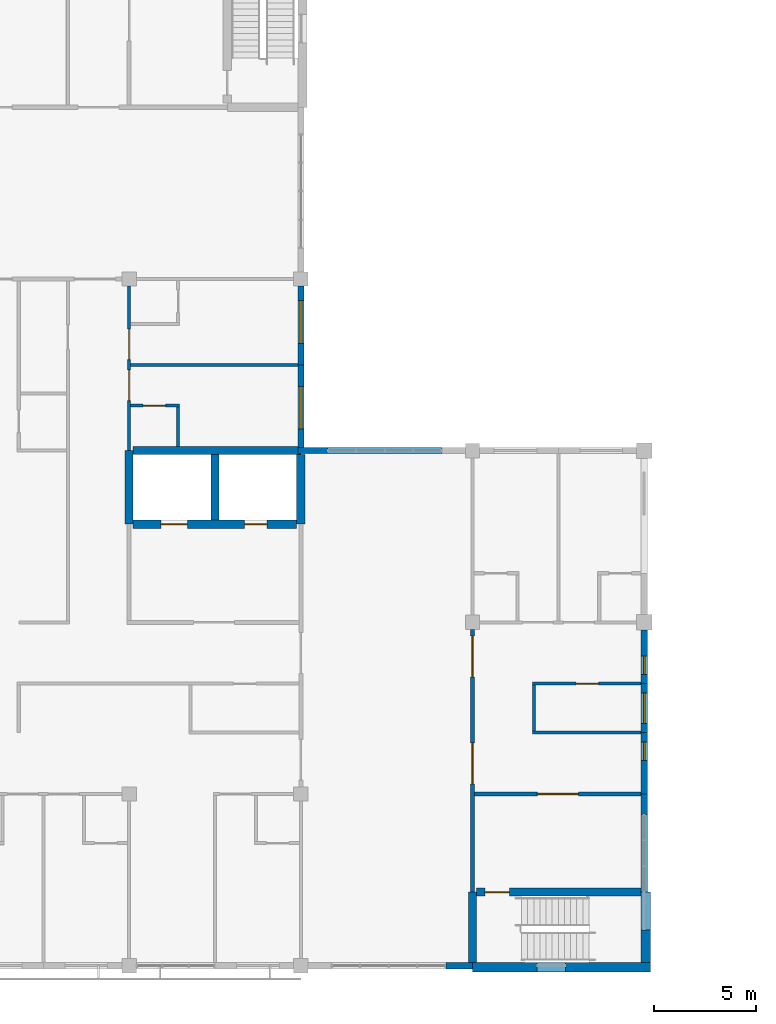
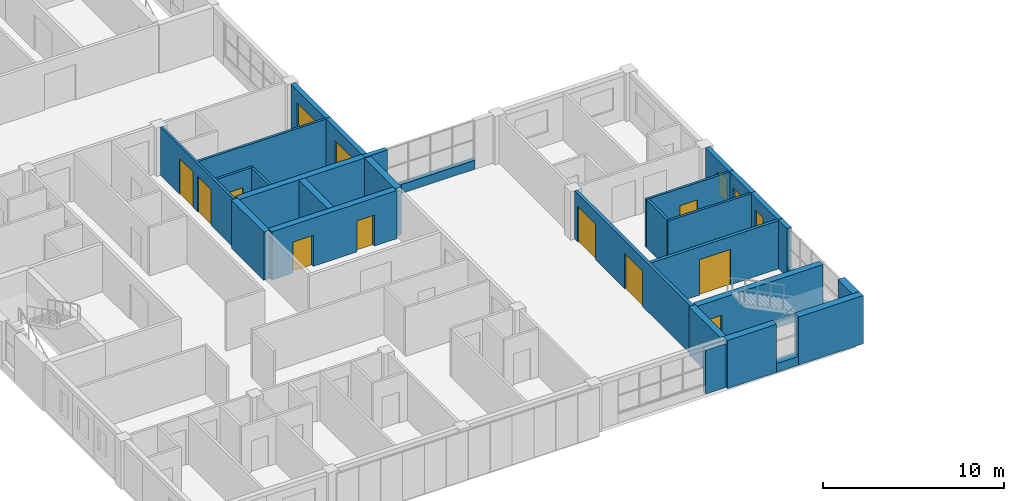
# One storey, part 25 of 45: 31 walls, 10 doors, 5 windows, 15 openings.
"""IFC4 building model written with IfcOpenShell, lengths in metres."""

from ifc_helpers import new_model, si_unit, direction, frame, frame_2d, origin, place, context, subcontext, project, spatial, rectangle, extrude, material, layer, layer_set, type_object, element, fill, save


model = new_model("IFC4")

# Units and contexts
model_context = context("Model", 3, precision=1e-05, world=origin(), true_north=direction((0.0, 1.0)))
body_context = subcontext(model_context, "Body", "Model", "MODEL_VIEW")
ifc_project = project(units=[si_unit("LENGTHUNIT", "METRE"), si_unit("AREAUNIT", "SQUARE_METRE"), si_unit("VOLUMEUNIT", "CUBIC_METRE"), si_unit("PLANEANGLEUNIT", "RADIAN"), si_unit("MASSUNIT", "GRAM", prefix="KILO")], contexts=[model_context])

# Site, building, storey
site_placement = place(None, origin())
site = spatial("IfcSite", under=ifc_project, at=site_placement, CompositionType="ELEMENT")
building_placement = place(site_placement, origin())
building = spatial("IfcBuilding", under=site, at=building_placement, Name="Yavir Park General Hospital", CompositionType="ELEMENT")
storey_placement = place(building_placement, frame((0.0, 0.0, 22.5)))
storey = spatial("IfcBuildingStorey", under=building, at=storey_placement, Name="L05", CompositionType="ELEMENT", Elevation=22.5)

# Wall, opening, door
ifc_material_1 = material(Name="Double gypsum board fire partition on steel studs", Category="steel")
ifc_layer_1 = layer(ifc_material_1, 0.199951171875)
ifc_layer_set_1 = layer_set([ifc_layer_1], Name="Double gypsum board fire partition on steel studs")
wall_type_1 = type_object("IfcWallType", Name="Fire-rated partition 200, EI 60", PredefinedType="PARTITIONING", material=ifc_layer_set_1)
wall_1_placement = place(storey_placement, frame((33.699951171875, 8.39990234375, 0.0), z_axis=(0.0, 0.0, 1.0), x_axis=(1.0, 0.0, 0.0)))
wall_1 = element("IfcWall", 1, at=wall_1_placement, inside=storey, type_object=wall_type_1, Name="FP20 L05-014", PredefinedType="PARTITIONING", context=body_context, shape_type="SweptSolid", body=[
    extrude(rectangle(XDim=8.150146484375, YDim=0.199951171875, at=frame_2d((4.0751953125, 0.0))), origin(), (0.0, 0.0, 1.0), 3.260009765625),
])
opening_1_placement = place(wall_1_placement, frame((3.074951171875, 0.0, 0.0)))
opening_1 = element("IfcOpeningElement", 2, at=opening_1_placement, cuts=wall_1, Name="Opening L05.D018", PredefinedType="OPENING", context=body_context, shape_type="SweptSolid", body=[
    extrude(rectangle(XDim=2.0, YDim=2.39990234375, at=frame_2d((1.0, 1.199951171875))), frame((0.0, 0.10986328125, 0.0), z_axis=(0.0, -1.0, 0.0), x_axis=(1.0, 0.0, 0.0)), (0.0, 0.0, 1.0), 0.219970703125),
])
ifc_material_2 = material(Name="Steel frame, fire-resisting leaves with vision panels", Category="steel")
door_type_1 = type_object("IfcDoorType", Name="Double fire door with vision panels 2000 x 2400, EI 60", OperationType="DOUBLE_DOOR_SINGLE_SWING", PredefinedType="DOOR", material=ifc_material_2)
door_1_placement = place(opening_1_placement, origin())
door_1 = element("IfcDoor", 3, at=door_1_placement, inside=storey, type_object=door_type_1, Name="L05.D018", OperationType="SINGLE_SWING_RIGHT", OverallHeight=2.39990234375, OverallWidth=2.0, PredefinedType="DOOR", context=body_context, shape_type="SweptSolid", body=[
    extrude(rectangle(XDim=2.0, YDim=2.39990234375, at=frame_2d((1.0, 1.199951171875))), frame((0.0, 0.030029296875, 0.0), z_axis=(0.0, -1.0, 0.0), x_axis=(1.0, 0.0, 0.0)), (0.0, 0.0, 1.0), 0.06005859375),
])
fill(opening_1, door_1)

# Wall, openings, doors
wall_2_placement = place(storey_placement, frame((33.60009765625, 3.60009765625, 0.0), z_axis=(0.0, 0.0, 1.0), x_axis=(0.0, 1.0, 0.0)))
wall_2 = element("IfcWall", 4, at=wall_2_placement, inside=storey, type_object=wall_type_1, Name="FP20 L05-217", PredefinedType="PARTITIONING", context=body_context, shape_type="SweptSolid", body=[
    extrude(rectangle(XDim=12.849853515625, YDim=0.199951171875, at=frame_2d((6.4248046875, 0.0))), origin(), (0.0, 0.0, 1.0), 3.260009765625),
])
opening_2_placement = place(wall_2_placement, frame((5.300048828125, 0.0, 0.0)))
opening_2 = element("IfcOpeningElement", 5, at=opening_2_placement, cuts=wall_2, Name="Opening L05.D143", PredefinedType="OPENING", context=body_context, shape_type="SweptSolid", body=[
    extrude(rectangle(XDim=2.0, YDim=2.39990234375, at=frame_2d((1.0, 1.199951171875))), frame((0.0, 0.10986328125, 0.0), z_axis=(0.0, -1.0, 0.0), x_axis=(1.0, 0.0, 0.0)), (0.0, 0.0, 1.0), 0.219970703125),
])
opening_3_placement = place(wall_2_placement, frame((10.52490234375, 0.0, 0.0)))
opening_3 = element("IfcOpeningElement", 6, at=opening_3_placement, cuts=wall_2, Name="Opening L05.D144", PredefinedType="OPENING", context=body_context, shape_type="SweptSolid", body=[
    extrude(rectangle(XDim=2.0, YDim=2.39990234375, at=frame_2d((1.0, 1.199951171875))), frame((0.0, 0.10986328125, 0.0), z_axis=(0.0, -1.0, 0.0), x_axis=(1.0, 0.0, 0.0)), (0.0, 0.0, 1.0), 0.219970703125),
])
door_2_placement = place(opening_2_placement, origin())
door_2 = element("IfcDoor", 7, at=door_2_placement, inside=storey, type_object=door_type_1, Name="L05.D143", OperationType="SINGLE_SWING_LEFT", OverallHeight=2.39990234375, OverallWidth=2.0, PredefinedType="DOOR", context=body_context, shape_type="SweptSolid", body=[
    extrude(rectangle(XDim=2.0, YDim=2.39990234375, at=frame_2d((1.0, 1.199951171875))), frame((0.0, 0.030029296875, 0.0), z_axis=(0.0, -1.0, 0.0), x_axis=(1.0, 0.0, 0.0)), (0.0, 0.0, 1.0), 0.06005859375),
])
fill(opening_2, door_2)
door_3_placement = place(opening_3_placement, origin())
door_3 = element("IfcDoor", 8, at=door_3_placement, inside=storey, type_object=door_type_1, Name="L05.D144", OperationType="SINGLE_SWING_LEFT", OverallHeight=2.39990234375, OverallWidth=2.0, PredefinedType="DOOR", context=body_context, shape_type="SweptSolid", body=[
    extrude(rectangle(XDim=2.0, YDim=2.39990234375, at=frame_2d((1.0, 1.199951171875))), frame((0.0, 0.030029296875, 0.0), z_axis=(0.0, -1.0, 0.0), x_axis=(1.0, 0.0, 0.0)), (0.0, 0.0, 1.0), 0.06005859375),
])
fill(opening_3, door_3)

# Wall
ifc_material_3 = material(Name="Gypsum board partition on steel studs", Category="steel")
ifc_layer_2 = layer(ifc_material_3, 0.14990234375)
ifc_layer_set_2 = layer_set([ifc_layer_2], Name="Gypsum board partition on steel studs")
wall_type_2 = type_object("IfcWallType", Name="Gypsum board partition 150", PredefinedType="PARTITIONING", material=ifc_layer_set_2)
wall_3_placement = place(storey_placement, frame((36.52490234375, 11.39990234375, 0.0), z_axis=(0.0, 0.0, 1.0), x_axis=(1.0, 0.0, 0.0)))
element("IfcWall", 9, at=wall_3_placement, inside=storey, type_object=wall_type_2, Name="P15 L05-022", PredefinedType="PARTITIONING", context=body_context, shape_type="SweptSolid", body=[
    extrude(rectangle(XDim=5.3251953125, YDim=0.14990234375, at=frame_2d((2.66259765625, 0.0))), origin(), (0.0, 0.0, 1.0), 3.260009765625),
])

# Wall, opening, door
wall_4_placement = place(storey_placement, frame((36.52490234375, 13.800048828125, 0.0), z_axis=(0.0, 0.0, 1.0), x_axis=(1.0, 0.0, 0.0)))
wall_4 = element("IfcWall", 10, at=wall_4_placement, inside=storey, type_object=wall_type_2, Name="P15 L05-027", PredefinedType="PARTITIONING", context=body_context, shape_type="SweptSolid", body=[
    extrude(rectangle(XDim=5.3251953125, YDim=0.14990234375, at=frame_2d((2.66259765625, 0.0))), origin(), (0.0, 0.0, 1.0), 3.260009765625),
])
opening_4_placement = place(wall_4_placement, frame((2.14990234375, 0.0, 0.0)))
opening_4 = element("IfcOpeningElement", 11, at=opening_4_placement, cuts=wall_4, Name="Opening L05.D030", PredefinedType="OPENING", context=body_context, shape_type="SweptSolid", body=[
    extrude(rectangle(XDim=1.10009765625, YDim=2.10009765625, at=frame_2d((0.550048828125, 1.050048828125))), frame((0.0, 0.0849609375, 0.0), z_axis=(0.0, -1.0, 0.0), x_axis=(1.0, 0.0, 0.0)), (0.0, 0.0, 1.0), 0.169921875),
])
ifc_material_4 = material(Name="Hollow metal frame, solid-core timber leaf", Category="wood")
door_type_2 = type_object("IfcDoorType", Name="Single swing door 1100 x 2100", OperationType="SINGLE_SWING_LEFT", PredefinedType="DOOR", material=ifc_material_4)
door_4_placement = place(opening_4_placement, origin())
door_4 = element("IfcDoor", 12, at=door_4_placement, inside=storey, type_object=door_type_2, Name="L05.D030", OperationType="SINGLE_SWING_LEFT", OverallHeight=2.10009765625, OverallWidth=1.10009765625, PredefinedType="DOOR", context=body_context, shape_type="SweptSolid", body=[
    extrude(rectangle(XDim=1.10009765625, YDim=2.10009765625, at=frame_2d((0.550048828125, 1.050048828125))), frame((0.0, 0.02490234375, 0.0), z_axis=(0.0, -1.0, 0.0), x_axis=(1.0, 0.0, 0.0)), (0.0, 0.0, 1.0), 0.050048828125),
])
fill(opening_4, door_4)

wall_5_placement = place(storey_placement, frame((16.875, 27.39990234375, 0.0), z_axis=(0.0, 0.0, 1.0), x_axis=(1.0, 0.0, 0.0)))
wall_5 = element("IfcWall", 13, at=wall_5_placement, inside=storey, type_object=wall_type_2, Name="P15 L05-055", PredefinedType="PARTITIONING", context=body_context, shape_type="SweptSolid", body=[
    extrude(rectangle(XDim=2.39990234375, YDim=0.14990234375, at=frame_2d((1.199951171875, 0.0))), origin(), (0.0, 0.0, 1.0), 3.260009765625),
])
opening_5_placement = place(wall_5_placement, frame((0.612548828125, 0.0, 0.0)))
opening_5 = element("IfcOpeningElement", 14, at=opening_5_placement, cuts=wall_5, Name="Opening L05.D061", PredefinedType="OPENING", context=body_context, shape_type="SweptSolid", body=[
    extrude(rectangle(XDim=1.10009765625, YDim=2.10009765625, at=frame_2d((0.550048828125, 1.050048828125))), frame((0.0, 0.0849609375, 0.0), z_axis=(0.0, -1.0, 0.0), x_axis=(1.0, 0.0, 0.0)), (0.0, 0.0, 1.0), 0.169921875),
])
door_5_placement = place(opening_5_placement, origin())
door_5 = element("IfcDoor", 15, at=door_5_placement, inside=storey, type_object=door_type_2, Name="L05.D061", OperationType="SINGLE_SWING_RIGHT", OverallHeight=2.10009765625, OverallWidth=1.10009765625, PredefinedType="DOOR", context=body_context, shape_type="SweptSolid", body=[
    extrude(rectangle(XDim=1.10009765625, YDim=2.10009765625, at=frame_2d((0.550048828125, 1.050048828125))), frame((0.0, 0.02490234375, 0.0), z_axis=(0.0, -1.0, 0.0), x_axis=(1.0, 0.0, 0.0)), (0.0, 0.0, 1.0), 0.050048828125),
])
fill(opening_5, door_5)

# Wall
wall_6_placement = place(storey_placement, frame((16.875, 29.39990234375, 0.0), z_axis=(0.0, 0.0, 1.0), x_axis=(1.0, 0.0, 0.0)))
element("IfcWall", 16, at=wall_6_placement, inside=storey, type_object=wall_type_2, Name="P15 L05-058", PredefinedType="PARTITIONING", context=body_context, shape_type="SweptSolid", body=[
    extrude(rectangle(XDim=8.175048828125, YDim=0.14990234375, at=frame_2d((4.08740234375, 0.0))), origin(), (0.0, 0.0, 1.0), 3.260009765625),
])

# Wall, openings, doors
wall_7_placement = place(storey_placement, frame((16.800048828125, 25.199951171875, 0.0), z_axis=(0.0, 0.0, 1.0), x_axis=(0.0, 1.0, 0.0)))
wall_7 = element("IfcWall", 17, at=wall_7_placement, inside=storey, type_object=wall_type_2, Name="P15 L05-187", PredefinedType="PARTITIONING", context=body_context, shape_type="SweptSolid", body=[
    extrude(rectangle(XDim=8.050048828125, YDim=0.14990234375, at=frame_2d((4.02490234375, 0.0))), origin(), (0.0, 0.0, 1.0), 3.260009765625),
])
opening_6_placement = place(wall_7_placement, frame((2.449951171875, 0.0, 0.0)))
opening_6 = element("IfcOpeningElement", 18, at=opening_6_placement, cuts=wall_7, Name="Opening L05.D119", PredefinedType="OPENING", context=body_context, shape_type="SweptSolid", body=[
    extrude(rectangle(XDim=1.5, YDim=2.39990234375, at=frame_2d((0.75, 1.199951171875))), frame((0.0, 0.0849609375, 0.0), z_axis=(0.0, -1.0, 0.0), x_axis=(1.0, 0.0, 0.0)), (0.0, 0.0, 1.0), 0.169921875),
])
opening_7_placement = place(wall_7_placement, frame((4.449951171875, 0.0, 0.0)))
opening_7 = element("IfcOpeningElement", 19, at=opening_7_placement, cuts=wall_7, Name="Opening L05.D120", PredefinedType="OPENING", context=body_context, shape_type="SweptSolid", body=[
    extrude(rectangle(XDim=1.5, YDim=2.39990234375, at=frame_2d((0.75, 1.199951171875))), frame((0.0, 0.0849609375, 0.0), z_axis=(0.0, -1.0, 0.0), x_axis=(1.0, 0.0, 0.0)), (0.0, 0.0, 1.0), 0.169921875),
])
ifc_material_5 = material(Name="Solid-core timber leaves, push plates, kick plates", Category="wood")
door_type_3 = type_object("IfcDoorType", Name="Bed door, unequal leaves 1500 x 2400", OperationType="DOUBLE_DOOR_SINGLE_SWING", PredefinedType="DOOR", material=ifc_material_5)
door_6_placement = place(opening_6_placement, origin())
door_6 = element("IfcDoor", 20, at=door_6_placement, inside=storey, type_object=door_type_3, Name="L05.D119", OperationType="SINGLE_SWING_LEFT", OverallHeight=2.39990234375, OverallWidth=1.5, PredefinedType="DOOR", context=body_context, shape_type="SweptSolid", body=[
    extrude(rectangle(XDim=1.5, YDim=2.39990234375, at=frame_2d((0.75, 1.199951171875))), frame((0.0, 0.030029296875, 0.0), z_axis=(0.0, -1.0, 0.0), x_axis=(1.0, 0.0, 0.0)), (0.0, 0.0, 1.0), 0.06005859375),
])
fill(opening_6, door_6)
door_7_placement = place(opening_7_placement, origin())
door_7 = element("IfcDoor", 21, at=door_7_placement, inside=storey, type_object=door_type_3, Name="L05.D120", OperationType="SINGLE_SWING_LEFT", OverallHeight=2.39990234375, OverallWidth=1.5, PredefinedType="DOOR", context=body_context, shape_type="SweptSolid", body=[
    extrude(rectangle(XDim=1.5, YDim=2.39990234375, at=frame_2d((0.75, 1.199951171875))), frame((0.0, 0.030029296875, 0.0), z_axis=(0.0, -1.0, 0.0), x_axis=(1.0, 0.0, 0.0)), (0.0, 0.0, 1.0), 0.06005859375),
])
fill(opening_7, door_7)

# Walls
wall_8_placement = place(storey_placement, frame((19.199951171875, 25.39990234375, 0.0), z_axis=(0.0, 0.0, 1.0), x_axis=(0.0, 1.0, 0.0)))
element("IfcWall", 22, at=wall_8_placement, inside=storey, type_object=wall_type_2, Name="P15 L05-196", PredefinedType="PARTITIONING", context=body_context, shape_type="SweptSolid", body=[
    extrude(rectangle(XDim=1.925048828125, YDim=0.14990234375, at=frame_2d((0.96240234375, 0.0))), origin(), (0.0, 0.0, 1.0), 3.260009765625),
])
wall_9_placement = place(storey_placement, frame((36.60009765625, 11.47509765625, 0.0), z_axis=(0.0, 0.0, 1.0), x_axis=(0.0, 1.0, 0.0)))
element("IfcWall", 23, at=wall_9_placement, inside=storey, type_object=wall_type_2, Name="P15 L05-220", PredefinedType="PARTITIONING", context=body_context, shape_type="SweptSolid", body=[
    extrude(rectangle(XDim=2.25, YDim=0.14990234375, at=frame_2d((1.125, 0.0))), origin(), (0.0, 0.0, 1.0), 3.260009765625),
])
ifc_material_6 = material(Name="Autoclaved aerated block, mineral wool and ochre mineral render")
ifc_layer_3 = layer(ifc_material_6, 0.300048828125)
ifc_layer_set_3 = layer_set([ifc_layer_3], Name="Autoclaved aerated block, mineral wool and ochre mineral render")
wall_type_3 = type_object("IfcWallType", Name="Ochre render ward wall 300, E 30", PredefinedType="SOLIDWALL", material=ifc_layer_set_3)
wall_10_placement = place(storey_placement, frame((32.300048828125, 0.0, 0.0), z_axis=(0.0, 0.0, 1.0), x_axis=(1.0, 0.0, 0.0)))
element("IfcWall", 24, at=wall_10_placement, inside=storey, type_object=wall_type_3, Name="XW7 L05-008", PredefinedType="SOLIDWALL", context=body_context, shape_type="SweptSolid", body=[
    extrude(rectangle(XDim=1.300048828125, YDim=0.300048828125, at=frame_2d((0.64990234375, 0.0))), origin(), (0.0, 0.0, 1.0), 2.9599609375),
])
wall_11_placement = place(storey_placement, frame((25.050048828125, 25.199951171875, 0.0), z_axis=(0.0, 0.0, 1.0), x_axis=(1.0, 0.0, 0.0)))
element("IfcWall", 25, at=wall_11_placement, inside=storey, type_object=wall_type_3, Name="XW7 L05-032", PredefinedType="SOLIDWALL", context=body_context, shape_type="SweptSolid", body=[
    extrude(rectangle(XDim=1.449951171875, YDim=0.300048828125, at=frame_2d((0.72509765625, 0.0))), origin(), (0.0, 0.0, 1.0), 3.260009765625),
])
wall_12_placement = place(storey_placement, frame((26.5, 25.199951171875, 0.0), z_axis=(0.0, 0.0, 1.0), x_axis=(1.0, 0.0, 0.0)))
element("IfcWall", 26, at=wall_12_placement, inside=storey, type_object=wall_type_3, Name="XW7 L05-034", PredefinedType="SOLIDWALL", context=body_context, shape_type="SweptSolid", body=[
    extrude(rectangle(XDim=5.60009765625, YDim=0.300048828125, at=frame_2d((2.800048828125, 0.0))), origin(), (0.0, 0.0, 1.0), 0.60009765625),
])

# Wall, opening, window
wall_13_placement = place(storey_placement, frame((25.199951171875, 25.35009765625, 0.0), z_axis=(0.0, 0.0, 1.0), x_axis=(0.0, 1.0, 0.0)))
wall_13 = element("IfcWall", 27, at=wall_13_placement, inside=storey, type_object=wall_type_3, Name="XW7 L05-100", PredefinedType="SOLIDWALL", context=body_context, shape_type="SweptSolid", body=[
    extrude(rectangle(XDim=4.0498046875, YDim=0.300048828125, at=frame_2d((2.02490234375, 0.0))), origin(), (0.0, 0.0, 1.0), 3.260009765625),
])
opening_8_placement = place(wall_13_placement, frame((0.89990234375, 0.0, 0.89990234375)))
opening_8 = element("IfcOpeningElement", 28, at=opening_8_placement, cuts=wall_13, Name="Opening WAR", PredefinedType="OPENING", context=body_context, shape_type="SweptSolid", body=[
    extrude(rectangle(XDim=2.10009765625, YDim=1.5, at=frame_2d((1.050048828125, 0.75))), frame((0.0, 0.159912109375, 0.0), z_axis=(0.0, -1.0, 0.0), x_axis=(1.0, 0.0, 0.0)), (0.0, 0.0, 1.0), 0.320068359375),
])
ifc_material_7 = material(Name="Aluminium frame, tilt-and-turn sash with opening restrictor, double glazed unit", Category="aluminium")
window_type_1 = type_object("IfcWindowType", Name="Ward window, restricted opening 2100 x 1500", PartitioningType="DOUBLE_PANEL_VERTICAL", PredefinedType="WINDOW", material=ifc_material_7)
window_1_placement = place(opening_8_placement, origin())
window_1 = element("IfcWindow", 29, at=window_1_placement, inside=storey, type_object=window_type_1, Name="WAR L05-044", OverallHeight=1.5, OverallWidth=2.10009765625, PartitioningType="DOUBLE_PANEL_VERTICAL", PredefinedType="WINDOW", context=body_context, shape_type="SweptSolid", body=[
    extrude(rectangle(XDim=2.10009765625, YDim=1.5, at=frame_2d((1.050048828125, 0.75))), frame((0.0, 0.050048828125, 0.0), z_axis=(0.0, -1.0, 0.0), x_axis=(1.0, 0.0, 0.0)), (0.0, 0.0, 1.0), 0.10009765625),
])
fill(opening_8, window_1)

wall_14_placement = place(storey_placement, frame((25.199951171875, 29.39990234375, 0.0), z_axis=(0.0, 0.0, 1.0), x_axis=(0.0, 1.0, 0.0)))
wall_14 = element("IfcWall", 30, at=wall_14_placement, inside=storey, type_object=wall_type_3, Name="XW7 L05-101", PredefinedType="SOLIDWALL", context=body_context, shape_type="SweptSolid", body=[
    extrude(rectangle(XDim=3.85009765625, YDim=0.300048828125, at=frame_2d((1.925048828125, 0.0))), origin(), (0.0, 0.0, 1.0), 3.260009765625),
])
opening_9_placement = place(wall_14_placement, frame((1.050048828125, 0.0, 0.89990234375)))
opening_9 = element("IfcOpeningElement", 31, at=opening_9_placement, cuts=wall_14, Name="Opening WAR", PredefinedType="OPENING", context=body_context, shape_type="SweptSolid", body=[
    extrude(rectangle(XDim=2.10009765625, YDim=1.5, at=frame_2d((1.050048828125, 0.75))), frame((0.0, 0.159912109375, 0.0), z_axis=(0.0, -1.0, 0.0), x_axis=(1.0, 0.0, 0.0)), (0.0, 0.0, 1.0), 0.320068359375),
])
window_2_placement = place(opening_9_placement, origin())
window_2 = element("IfcWindow", 32, at=window_2_placement, inside=storey, type_object=window_type_1, Name="WAR L05-045", OverallHeight=1.5, OverallWidth=2.10009765625, PartitioningType="DOUBLE_PANEL_VERTICAL", PredefinedType="WINDOW", context=body_context, shape_type="SweptSolid", body=[
    extrude(rectangle(XDim=2.10009765625, YDim=1.5, at=frame_2d((1.050048828125, 0.75))), frame((0.0, 0.050048828125, 0.0), z_axis=(0.0, -1.0, 0.0), x_axis=(1.0, 0.0, 0.0)), (0.0, 0.0, 1.0), 0.10009765625),
])
fill(opening_9, window_2)

# Walls
wall_15_placement = place(storey_placement, frame((42.0, 7.39990234375, 0.0), z_axis=(0.0, 0.0, 1.0), x_axis=(0.0, 1.0, 0.0)))
element("IfcWall", 33, at=wall_15_placement, inside=storey, type_object=wall_type_3, Name="XW7 L05-129", PredefinedType="SOLIDWALL", context=body_context, shape_type="SweptSolid", body=[
    extrude(rectangle(XDim=1.0, YDim=0.300048828125, at=frame_2d((0.5, 0.0))), origin(), (0.0, 0.0, 1.0), 3.260009765625),
])
wall_16_placement = place(storey_placement, frame((42.0, 3.60009765625, 0.0), z_axis=(0.0, 0.0, 1.0), x_axis=(0.0, 1.0, 0.0)))
element("IfcWall", 34, at=wall_16_placement, inside=storey, type_object=wall_type_3, Name="XW7 L05-130", PredefinedType="SOLIDWALL", context=body_context, shape_type="SweptSolid", body=[
    extrude(rectangle(XDim=3.7998046875, YDim=0.300048828125, at=frame_2d((1.89990234375, 0.0))), origin(), (0.0, 0.0, 1.0), 0.60009765625),
])

# Wall, opening, window
wall_17_placement = place(storey_placement, frame((42.0, 8.39990234375, 0.0), z_axis=(0.0, 0.0, 1.0), x_axis=(0.0, 1.0, 0.0)))
wall_17 = element("IfcWall", 35, at=wall_17_placement, inside=storey, type_object=wall_type_3, Name="XW7 L05-131", PredefinedType="SOLIDWALL", context=body_context, shape_type="SweptSolid", body=[
    extrude(rectangle(XDim=3.0, YDim=0.300048828125, at=frame_2d((1.5, 0.0))), origin(), (0.0, 0.0, 1.0), 3.260009765625),
])
opening_10_placement = place(wall_17_placement, frame((1.64990234375, 0.0, 0.89990234375)))
opening_10 = element("IfcOpeningElement", 36, at=opening_10_placement, cuts=wall_17, Name="Opening WH", PredefinedType="OPENING", context=body_context, shape_type="SweptSolid", body=[
    extrude(rectangle(XDim=0.89990234375, YDim=1.5, at=frame_2d((0.449951171875, 0.75))), frame((0.0, 0.159912109375, 0.0), z_axis=(0.0, -1.0, 0.0), x_axis=(1.0, 0.0, 0.0)), (0.0, 0.0, 1.0), 0.320068359375),
])
ifc_material_8 = material(Name="Aluminium frame, double glazed unit", Category="aluminium")
window_type_2 = type_object("IfcWindowType", Name="Narrow window 900 x 1500", PartitioningType="SINGLE_PANEL", PredefinedType="WINDOW", material=ifc_material_8)
window_3_placement = place(opening_10_placement, origin())
window_3 = element("IfcWindow", 37, at=window_3_placement, inside=storey, type_object=window_type_2, Name="WH L05-055", OverallHeight=1.5, OverallWidth=0.89990234375, PartitioningType="SINGLE_PANEL", PredefinedType="WINDOW", context=body_context, shape_type="SweptSolid", body=[
    extrude(rectangle(XDim=0.89990234375, YDim=1.5, at=frame_2d((0.449951171875, 0.75))), frame((0.0, 0.030029296875, 0.0), z_axis=(0.0, -1.0, 0.0), x_axis=(1.0, 0.0, 0.0)), (0.0, 0.0, 1.0), 0.06005859375),
])
fill(opening_10, window_3)

wall_18_placement = place(storey_placement, frame((42.0, 11.39990234375, 0.0), z_axis=(0.0, 0.0, 1.0), x_axis=(0.0, 1.0, 0.0)))
wall_18 = element("IfcWall", 38, at=wall_18_placement, inside=storey, type_object=wall_type_3, Name="XW7 L05-132", PredefinedType="SOLIDWALL", context=body_context, shape_type="SweptSolid", body=[
    extrude(rectangle(XDim=2.400146484375, YDim=0.300048828125, at=frame_2d((1.2001953125, 0.0))), origin(), (0.0, 0.0, 1.0), 3.260009765625),
])
opening_11_placement = place(wall_18_placement, frame((0.449951171875, 0.0, 0.89990234375)))
opening_11 = element("IfcOpeningElement", 39, at=opening_11_placement, cuts=wall_18, Name="Opening WC", PredefinedType="OPENING", context=body_context, shape_type="SweptSolid", body=[
    extrude(rectangle(XDim=1.5, YDim=1.5, at=frame_2d((0.75, 0.75))), frame((0.0, 0.159912109375, 0.0), z_axis=(0.0, -1.0, 0.0), x_axis=(1.0, 0.0, 0.0)), (0.0, 0.0, 1.0), 0.320068359375),
])
ifc_material_9 = material(Name="Aluminium frame, double glazed unit", Category="aluminium")
window_type_3 = type_object("IfcWindowType", Name="Consulting room window 1500 x 1500", PartitioningType="SINGLE_PANEL", PredefinedType="WINDOW", material=ifc_material_9)
window_4_placement = place(opening_11_placement, origin())
window_4 = element("IfcWindow", 40, at=window_4_placement, inside=storey, type_object=window_type_3, Name="WC L05-056", OverallHeight=1.5, OverallWidth=1.5, PartitioningType="SINGLE_PANEL", PredefinedType="WINDOW", context=body_context, shape_type="SweptSolid", body=[
    extrude(rectangle(XDim=1.5, YDim=1.5, at=frame_2d((0.75, 0.75))), frame((0.0, 0.030029296875, 0.0), z_axis=(0.0, -1.0, 0.0), x_axis=(1.0, 0.0, 0.0)), (0.0, 0.0, 1.0), 0.06005859375),
])
fill(opening_11, window_4)

wall_19_placement = place(storey_placement, frame((42.0, 13.800048828125, 0.0), z_axis=(0.0, 0.0, 1.0), x_axis=(0.0, 1.0, 0.0)))
wall_19 = element("IfcWall", 41, at=wall_19_placement, inside=storey, type_object=wall_type_3, Name="XW7 L05-133", PredefinedType="SOLIDWALL", context=body_context, shape_type="SweptSolid", body=[
    extrude(rectangle(XDim=2.625, YDim=0.300048828125, at=frame_2d((1.3125, 0.0))), origin(), (0.0, 0.0, 1.0), 3.260009765625),
])
opening_12_placement = place(wall_19_placement, frame((0.449951171875, 0.0, 0.89990234375)))
opening_12 = element("IfcOpeningElement", 42, at=opening_12_placement, cuts=wall_19, Name="Opening WH", PredefinedType="OPENING", context=body_context, shape_type="SweptSolid", body=[
    extrude(rectangle(XDim=0.89990234375, YDim=1.5, at=frame_2d((0.449951171875, 0.75))), frame((0.0, 0.159912109375, 0.0), z_axis=(0.0, -1.0, 0.0), x_axis=(1.0, 0.0, 0.0)), (0.0, 0.0, 1.0), 0.320068359375),
])
window_5_placement = place(opening_12_placement, origin())
window_5 = element("IfcWindow", 43, at=window_5_placement, inside=storey, type_object=window_type_2, Name="WH L05-057", OverallHeight=1.5, OverallWidth=0.89990234375, PartitioningType="SINGLE_PANEL", PredefinedType="WINDOW", context=body_context, shape_type="SweptSolid", body=[
    extrude(rectangle(XDim=0.89990234375, YDim=1.5, at=frame_2d((0.449951171875, 0.75))), frame((0.0, 0.030029296875, 0.0), z_axis=(0.0, -1.0, 0.0), x_axis=(1.0, 0.0, 0.0)), (0.0, 0.0, 1.0), 0.06005859375),
])
fill(opening_12, window_5)

# Wall, opening, door
ifc_material_10 = material(Name="Concrete C35/45", Category="concrete")
ifc_layer_4 = layer(ifc_material_10, 0.39990234375)
ifc_layer_set_4 = layer_set([ifc_layer_4], Name="Concrete C35/45")
wall_type_4 = type_object("IfcWallType", Name="Reinforced concrete core wall 400, REI 150", PredefinedType="SHEAR", material=ifc_layer_set_4)
wall_20_placement = place(storey_placement, frame((33.800048828125, 3.60009765625, 0.0), z_axis=(0.0, 0.0, 1.0), x_axis=(1.0, 0.0, 0.0)))
wall_20 = element("IfcWall", 44, at=wall_20_placement, inside=storey, type_object=wall_type_4, Name="CW40 L05-001", PredefinedType="SHEAR", context=body_context, shape_type="SweptSolid", body=[
    extrude(rectangle(XDim=8.050048828125, YDim=0.39990234375, at=frame_2d((4.02490234375, 0.0))), origin(), (0.0, 0.0, 1.0), 3.260009765625),
])
opening_13_placement = place(wall_20_placement, frame((0.39990234375, 0.0, 0.0)))
opening_13 = element("IfcOpeningElement", 45, at=opening_13_placement, cuts=wall_20, Name="Opening L05.D001", PredefinedType="OPENING", context=body_context, shape_type="SweptSolid", body=[
    extrude(rectangle(XDim=1.199951171875, YDim=2.10009765625, at=frame_2d((0.60009765625, 1.050048828125))), frame((0.0, 0.2099609375, 0.0), z_axis=(0.0, -1.0, 0.0), x_axis=(1.0, 0.0, 0.0)), (0.0, 0.0, 1.0), 0.419921875),
])
ifc_material_11 = material(Name="Steel frame, fire-resisting timber leaf", Category="steel")
door_type_4 = type_object("IfcDoorType", Name="Fire door 1200 x 2100, EI 60", OperationType="SINGLE_SWING_LEFT", PredefinedType="DOOR", material=ifc_material_11)
door_8_placement = place(opening_13_placement, origin())
door_8 = element("IfcDoor", 46, at=door_8_placement, inside=storey, type_object=door_type_4, Name="L05.D001", OperationType="SINGLE_SWING_LEFT", OverallHeight=2.10009765625, OverallWidth=1.199951171875, PredefinedType="DOOR", context=body_context, shape_type="SweptSolid", body=[
    extrude(rectangle(XDim=1.199951171875, YDim=2.10009765625, at=frame_2d((0.60009765625, 1.050048828125))), frame((0.0, 0.02490234375, 0.0), z_axis=(0.0, -1.0, 0.0), x_axis=(1.0, 0.0, 0.0)), (0.0, 0.0, 1.0), 0.050048828125),
])
fill(opening_13, door_8)

# Wall, openings, doors
wall_21_placement = place(storey_placement, frame((17.0, 21.60009765625, 0.0), z_axis=(0.0, 0.0, 1.0), x_axis=(1.0, 0.0, 0.0)))
wall_21 = element("IfcWall", 47, at=wall_21_placement, inside=storey, type_object=wall_type_4, Name="CW40 L05-048", PredefinedType="SHEAR", context=body_context, shape_type="SweptSolid", body=[
    extrude(rectangle(XDim=8.0, YDim=0.39990234375, at=frame_2d((4.0, 0.0))), origin(), (0.0, 0.0, 1.0), 3.260009765625),
])
opening_14_placement = place(wall_21_placement, frame((1.35009765625, 0.0, 0.0)))
opening_14 = element("IfcOpeningElement", 48, at=opening_14_placement, cuts=wall_21, Name="Opening L05.D053", PredefinedType="OPENING", context=body_context, shape_type="SweptSolid", body=[
    extrude(rectangle(XDim=1.300048828125, YDim=2.10009765625, at=frame_2d((0.64990234375, 1.050048828125))), frame((0.0, 0.2099609375, 0.0), z_axis=(0.0, -1.0, 0.0), x_axis=(1.0, 0.0, 0.0)), (0.0, 0.0, 1.0), 0.419921875),
])
opening_15_placement = place(wall_21_placement, frame((5.449951171875, 0.0, 0.0)))
opening_15 = element("IfcOpeningElement", 49, at=opening_15_placement, cuts=wall_21, Name="Opening L05.D054", PredefinedType="OPENING", context=body_context, shape_type="SweptSolid", body=[
    extrude(rectangle(XDim=1.10009765625, YDim=2.10009765625, at=frame_2d((0.550048828125, 1.050048828125))), frame((0.0, 0.2099609375, 0.0), z_axis=(0.0, -1.0, 0.0), x_axis=(1.0, 0.0, 0.0)), (0.0, 0.0, 1.0), 0.419921875),
])
ifc_material_12 = material(Name="Stainless steel landing door panels", Category="steel")
door_type_5 = type_object("IfcDoorType", Name="Lift landing door 1100 x 2100, EI 60", OperationType="SLIDING_TO_LEFT", PredefinedType="DOOR", material=ifc_material_12)
door_9_placement = place(opening_15_placement, origin())
door_9 = element("IfcDoor", 50, at=door_9_placement, inside=storey, type_object=door_type_5, Name="L05.D054", OperationType="SLIDING_TO_LEFT", OverallHeight=2.10009765625, OverallWidth=1.10009765625, PredefinedType="DOOR", context=body_context, shape_type="SweptSolid", body=[
    extrude(rectangle(XDim=1.10009765625, YDim=2.10009765625, at=frame_2d((0.550048828125, 1.050048828125))), frame((0.0, 0.02490234375, 0.0), z_axis=(0.0, -1.0, 0.0), x_axis=(1.0, 0.0, 0.0)), (0.0, 0.0, 1.0), 0.050048828125),
])
fill(opening_15, door_9)
ifc_material_13 = material(Name="Stainless steel landing door panels", Category="steel")
door_type_6 = type_object("IfcDoorType", Name="Lift landing door 1300 x 2100, EI 60", OperationType="SLIDING_TO_LEFT", PredefinedType="DOOR", material=ifc_material_13)
door_10_placement = place(opening_14_placement, origin())
door_10 = element("IfcDoor", 51, at=door_10_placement, inside=storey, type_object=door_type_6, Name="L05.D053", OperationType="SLIDING_TO_LEFT", OverallHeight=2.10009765625, OverallWidth=1.300048828125, PredefinedType="DOOR", context=body_context, shape_type="SweptSolid", body=[
    extrude(rectangle(XDim=1.300048828125, YDim=2.10009765625, at=frame_2d((0.64990234375, 1.050048828125))), frame((0.0, 0.02490234375, 0.0), z_axis=(0.0, -1.0, 0.0), x_axis=(1.0, 0.0, 0.0)), (0.0, 0.0, 1.0), 0.050048828125),
])
fill(opening_14, door_10)

# Walls
wall_22_placement = place(storey_placement, frame((17.0, 25.199951171875, 0.0), z_axis=(0.0, 0.0, 1.0), x_axis=(1.0, 0.0, 0.0)))
element("IfcWall", 52, at=wall_22_placement, inside=storey, type_object=wall_type_4, Name="CW40 L05-053", PredefinedType="SHEAR", context=body_context, shape_type="SweptSolid", body=[
    extrude(rectangle(XDim=8.199951171875, YDim=0.39990234375, at=frame_2d((4.10009765625, 0.0))), origin(), (0.0, 0.0, 1.0), 3.260009765625),
])
wall_23_placement = place(storey_placement, frame((16.800048828125, 21.60009765625, 0.0), z_axis=(0.0, 0.0, 1.0), x_axis=(0.0, 1.0, 0.0)))
element("IfcWall", 53, at=wall_23_placement, inside=storey, type_object=wall_type_4, Name="CW40 L05-186", PredefinedType="SHEAR", context=body_context, shape_type="SweptSolid", body=[
    extrude(rectangle(XDim=3.599853515625, YDim=0.39990234375, at=frame_2d((1.7998046875, 0.0))), origin(), (0.0, 0.0, 1.0), 3.260009765625),
])
wall_24_placement = place(storey_placement, frame((21.0, 21.800048828125, 0.0), z_axis=(0.0, 0.0, 1.0), x_axis=(0.0, 1.0, 0.0)))
element("IfcWall", 54, at=wall_24_placement, inside=storey, type_object=wall_type_4, Name="CW40 L05-208", PredefinedType="SHEAR", context=body_context, shape_type="SweptSolid", body=[
    extrude(rectangle(XDim=3.199951171875, YDim=0.39990234375, at=frame_2d((1.60009765625, 0.0))), origin(), (0.0, 0.0, 1.0), 3.260009765625),
])
wall_25_placement = place(storey_placement, frame((25.199951171875, 21.60009765625, 0.0), z_axis=(0.0, 0.0, 1.0), x_axis=(0.0, 1.0, 0.0)))
element("IfcWall", 55, at=wall_25_placement, inside=storey, type_object=wall_type_4, Name="CW40 L05-215", PredefinedType="SHEAR", context=body_context, shape_type="SweptSolid", body=[
    extrude(rectangle(XDim=3.39990234375, YDim=0.39990234375, at=frame_2d((1.699951171875, 0.0))), origin(), (0.0, 0.0, 1.0), 3.260009765625),
])
wall_26_placement = place(storey_placement, frame((33.60009765625, 0.14990234375, 0.0), z_axis=(0.0, 0.0, 1.0), x_axis=(0.0, 1.0, 0.0)))
element("IfcWall", 56, at=wall_26_placement, inside=storey, type_object=wall_type_4, Name="CW40 L05-216", PredefinedType="SHEAR", context=body_context, shape_type="SweptSolid", body=[
    extrude(rectangle(XDim=3.4501953125, YDim=0.39990234375, at=frame_2d((1.72509765625, 0.0))), origin(), (0.0, 0.0, 1.0), 3.260009765625),
])
ifc_material_14 = material(Name="Concrete C30/37 precast panel with 150 mm mineral wool insulation", Category="concrete")
ifc_layer_5 = layer(ifc_material_14, 0.449951171875)
ifc_layer_set_5 = layer_set([ifc_layer_5], Name="Concrete C30/37 precast panel with 150 mm mineral wool insulation")
wall_type_5 = type_object("IfcWallType", Name="Stair enclosure wall 450, REI 150", PredefinedType="SOLIDWALL", material=ifc_layer_set_5)
wall_27_placement = place(storey_placement, frame((33.60009765625, -0.074951171875, 0.0), z_axis=(0.0, 0.0, 1.0), x_axis=(1.0, 0.0, 0.0)))
element("IfcWall", 57, at=wall_27_placement, inside=storey, type_object=wall_type_5, Name="XW6 L05-010", PredefinedType="SOLIDWALL", context=body_context, shape_type="SweptSolid", body=[
    extrude(rectangle(XDim=3.14990234375, YDim=0.449951171875, at=frame_2d((1.574951171875, 0.0))), origin(), (0.0, 0.0, 1.0), 3.260009765625),
])
wall_28_placement = place(storey_placement, frame((38.14990234375, -0.074951171875, 0.0), z_axis=(0.0, 0.0, 1.0), x_axis=(1.0, 0.0, 0.0)))
element("IfcWall", 58, at=wall_28_placement, inside=storey, type_object=wall_type_5, Name="XW6 L05-011", PredefinedType="SOLIDWALL", context=body_context, shape_type="SweptSolid", body=[
    extrude(rectangle(XDim=4.150146484375, YDim=0.449951171875, at=frame_2d((2.0751953125, 0.0))), origin(), (0.0, 0.0, 1.0), 3.260009765625),
])
wall_29_placement = place(storey_placement, frame((36.75, -0.074951171875, 0.0), z_axis=(0.0, 0.0, 1.0), x_axis=(1.0, 0.0, 0.0)))
element("IfcWall", 59, at=wall_29_placement, inside=storey, type_object=wall_type_5, Name="XW6 L05-012", PredefinedType="SOLIDWALL", context=body_context, shape_type="SweptSolid", body=[
    extrude(rectangle(XDim=1.39990234375, YDim=0.449951171875, at=frame_2d((0.699951171875, 0.0))), origin(), (0.0, 0.0, 1.0), 0.60009765625),
])
wall_30_placement = place(storey_placement, frame((42.074951171875, 0.14990234375, 0.0), z_axis=(0.0, 0.0, 1.0), x_axis=(0.0, 1.0, 0.0)))
element("IfcWall", 60, at=wall_30_placement, inside=storey, type_object=wall_type_5, Name="XW6 L05-127", PredefinedType="SOLIDWALL", context=body_context, shape_type="SweptSolid", body=[
    extrude(rectangle(XDim=1.60009765625, YDim=0.449951171875, at=frame_2d((0.800048828125, 0.0))), origin(), (0.0, 0.0, 1.0), 3.260009765625),
])
wall_31_placement = place(storey_placement, frame((42.074951171875, 1.75, 0.0), z_axis=(0.0, 0.0, 1.0), x_axis=(0.0, 1.0, 0.0)))
element("IfcWall", 61, at=wall_31_placement, inside=storey, type_object=wall_type_5, Name="XW6 L05-128", PredefinedType="SOLIDWALL", context=body_context, shape_type="SweptSolid", body=[
    extrude(rectangle(XDim=1.85009765625, YDim=0.449951171875, at=frame_2d((0.925048828125, 0.0))), origin(), (0.0, 0.0, 1.0), 0.60009765625),
])

save(model, "model.ifc")
